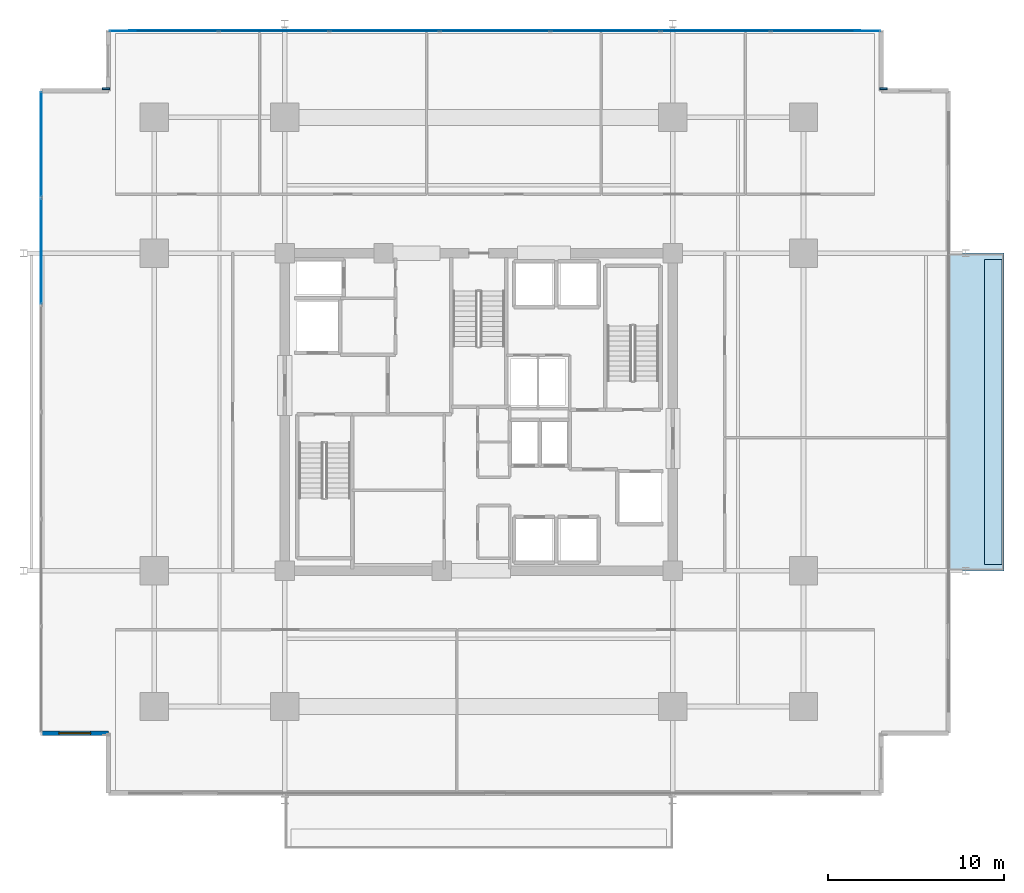
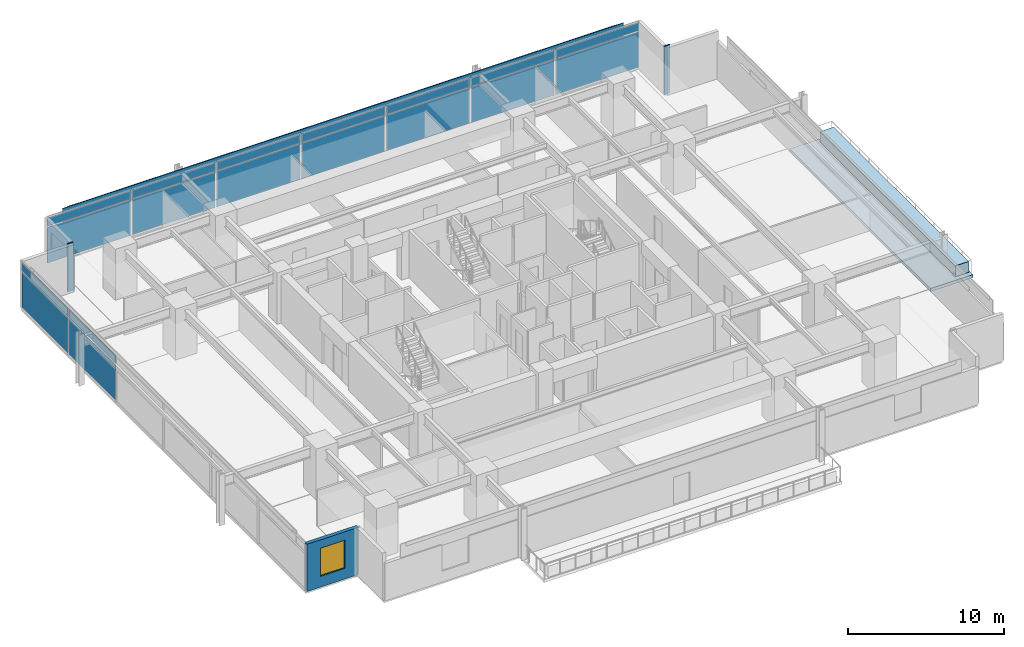
# One storey, part 13 of 22: 22 plates, 2 slabs, 1 wall, 1 window, 1 opening, 2 elements without a shape of their own.
"""IFC4 building model written with IfcOpenShell, lengths in metres."""

from ifc_helpers import new_model, si_unit, direction, frame, frame_2d, origin, origin_2d, place, context, subcontext, project, spatial, polyline, rectangle, outline, extrude, material, layer, layer_set, type_object, element, fill, aggregate, save


model = new_model("IFC4")

# Units and contexts
model_context = context("Model", 3, precision=1e-05, world=origin(), true_north=direction((0.0, 1.0)))
body_context = subcontext(model_context, "Body", "Model", "MODEL_VIEW")
ifc_project = project(units=[si_unit("LENGTHUNIT", "METRE"), si_unit("AREAUNIT", "SQUARE_METRE"), si_unit("VOLUMEUNIT", "CUBIC_METRE"), si_unit("PLANEANGLEUNIT", "RADIAN"), si_unit("MASSUNIT", "GRAM", prefix="KILO")], contexts=[model_context])

# Site, building, storey
site_placement = place(None, origin())
site = spatial("IfcSite", under=ifc_project, at=site_placement, CompositionType="ELEMENT")
building_placement = place(site_placement, origin())
building = spatial("IfcBuilding", under=site, at=building_placement, Name="Kovane Verandah Tower", CompositionType="ELEMENT")
storey_placement = place(building_placement, frame((0.0, 0.0, 180.39990234375)))
storey = spatial("IfcBuildingStorey", under=building, at=storey_placement, Name="L42", CompositionType="ELEMENT", Elevation=180.39990234375)

# Curtain wall, plates
ifc_material_1 = material(Name="Champagne Anodised Aluminium Frame with Low-E Clear Laminated Glass", Category="aluminium")
curtain_wall_type = type_object("IfcCurtainWallType", Name="CW-SYS-03-MID", PredefinedType="NOTDEFINED", material=ifc_material_1)
curtain_wall_1_placement = place(storey_placement, origin())
curtain_wall_1 = element("IfcCurtainWall", 1, at=curtain_wall_1_placement, inside=storey, type_object=curtain_wall_type, Name="L42 N Unitised Curtain Wall", PredefinedType="NOTDEFINED")
ifc_material_2 = material(Name="Pale Champagne Anodised Aluminium Insulated Spandrel", Category="aluminium")
ifc_layer_1 = layer(ifc_material_2, 0.0400390625)
ifc_layer_set_1 = layer_set([ifc_layer_1], Name="Pale Champagne Anodised Aluminium Insulated Spandrel")
plate_type_1 = type_object("IfcPlateType", Name="PL-CW-SPD-40", PredefinedType="SHEET", material=ifc_layer_set_1)
plate_1_placement = place(storey_placement, frame((59.68994140625, 49.10009765625, 2.97021484375), z_axis=(0.0, 0.0, 1.0), x_axis=(-1.0, 0.0, 0.0)))
plate_1 = element("IfcPlate", 2, at=plate_1_placement, type_object=plate_type_1, Name="L42 N Unitised Curtain Wall Spandrel Panel 1", PredefinedType="SHEET", context=body_context, shape_type="SweptSolid", body=[
    extrude(rectangle(XDim=6.1201171875, YDim=0.0400390625, at=origin_2d()), origin(), (0.0, 0.0, 1.0), 0.639892578125),
])
plate_2_placement = place(storey_placement, frame((53.429931640625, 49.10009765625, 2.97021484375), z_axis=(0.0, 0.0, 1.0), x_axis=(-1.0, 0.0, 0.0)))
plate_2 = element("IfcPlate", 3, at=plate_2_placement, type_object=plate_type_1, Name="L42 N Unitised Curtain Wall Spandrel Panel 2", PredefinedType="SHEET", context=body_context, shape_type="SweptSolid", body=[
    extrude(rectangle(XDim=6.1201171875, YDim=0.0400390625, at=origin_2d()), origin(), (0.0, 0.0, 1.0), 0.639892578125),
])
plate_3_placement = place(storey_placement, frame((47.169921875, 49.10009765625, 2.97021484375), z_axis=(0.0, 0.0, 1.0), x_axis=(-1.0, 0.0, 0.0)))
plate_3 = element("IfcPlate", 4, at=plate_3_placement, type_object=plate_type_1, Name="L42 N Unitised Curtain Wall Spandrel Panel 3", PredefinedType="SHEET", context=body_context, shape_type="SweptSolid", body=[
    extrude(rectangle(XDim=6.1201171875, YDim=0.0400390625, at=origin_2d()), origin(), (0.0, 0.0, 1.0), 0.639892578125),
])
plate_4_placement = place(storey_placement, frame((40.909912109375, 49.10009765625, 2.97021484375), z_axis=(0.0, 0.0, 1.0), x_axis=(-1.0, 0.0, 0.0)))
plate_4 = element("IfcPlate", 5, at=plate_4_placement, type_object=plate_type_1, Name="L42 N Unitised Curtain Wall Spandrel Panel 4", PredefinedType="SHEET", context=body_context, shape_type="SweptSolid", body=[
    extrude(rectangle(XDim=6.1201171875, YDim=0.0400390625, at=origin_2d()), origin(), (0.0, 0.0, 1.0), 0.639892578125),
])
plate_5_placement = place(storey_placement, frame((34.64990234375, 49.10009765625, 2.97021484375), z_axis=(0.0, 0.0, 1.0), x_axis=(-1.0, 0.0, 0.0)))
plate_5 = element("IfcPlate", 6, at=plate_5_placement, type_object=plate_type_1, Name="L42 N Unitised Curtain Wall Spandrel Panel 5", PredefinedType="SHEET", context=body_context, shape_type="SweptSolid", body=[
    extrude(rectangle(XDim=6.1201171875, YDim=0.0400390625, at=origin_2d()), origin(), (0.0, 0.0, 1.0), 0.639892578125),
])
plate_6_placement = place(storey_placement, frame((28.389892578125, 49.10009765625, 2.97021484375), z_axis=(0.0, 0.0, 1.0), x_axis=(-1.0, 0.0, 0.0)))
plate_6 = element("IfcPlate", 7, at=plate_6_placement, type_object=plate_type_1, Name="L42 N Unitised Curtain Wall Spandrel Panel 6", PredefinedType="SHEET", context=body_context, shape_type="SweptSolid", body=[
    extrude(rectangle(XDim=6.1201171875, YDim=0.0400390625, at=origin_2d()), origin(), (0.0, 0.0, 1.0), 0.639892578125),
])
plate_7_placement = place(storey_placement, frame((22.1298828125, 49.10009765625, 2.97021484375), z_axis=(0.0, 0.0, 1.0), x_axis=(-1.0, 0.0, 0.0)))
plate_7 = element("IfcPlate", 8, at=plate_7_placement, type_object=plate_type_1, Name="L42 N Unitised Curtain Wall Spandrel Panel 7", PredefinedType="SHEET", context=body_context, shape_type="SweptSolid", body=[
    extrude(rectangle(XDim=6.1201171875, YDim=0.0400390625, at=origin_2d()), origin(), (0.0, 0.0, 1.0), 0.639892578125),
])

curtain_wall_2_placement = place(storey_placement, origin())
curtain_wall_2 = element("IfcCurtainWall", 9, at=curtain_wall_2_placement, inside=storey, type_object=curtain_wall_type, Name="L42 W Unitised Curtain Wall", PredefinedType="NOTDEFINED")
plate_8_placement = place(storey_placement, frame((15.199951171875, 42.666748046875, 2.97021484375), z_axis=(0.0, 0.0, 1.0), x_axis=(0.0, -1.0, 0.0)))
plate_8 = element("IfcPlate", 10, at=plate_8_placement, type_object=plate_type_1, Name="L42 W Unitised Curtain Wall Spandrel Panel 1", PredefinedType="SHEET", context=body_context, shape_type="SweptSolid", body=[
    extrude(rectangle(XDim=5.9267578125, YDim=0.0400390625, at=origin_2d()), origin(), (0.0, 0.0, 1.0), 0.639892578125),
])
plate_9_placement = place(storey_placement, frame((15.199951171875, 36.60009765625, 2.97021484375), z_axis=(0.0, 0.0, 1.0), x_axis=(0.0, -1.0, 0.0)))
plate_9 = element("IfcPlate", 11, at=plate_9_placement, type_object=plate_type_1, Name="L42 W Unitised Curtain Wall Spandrel Panel 2", PredefinedType="SHEET", context=body_context, shape_type="SweptSolid", body=[
    extrude(rectangle(XDim=5.9267578125, YDim=0.0400390625, at=origin_2d()), origin(), (0.0, 0.0, 1.0), 0.639892578125),
])

# Plate
ifc_material_3 = material(Name="Clear Low-E Laminated Double Glazing", Category="glass")
ifc_layer_2 = layer(ifc_material_3, 0.031982421875)
ifc_layer_set_2 = layer_set([ifc_layer_2], Name="Clear Low-E Laminated Double Glazing")
plate_type_2 = type_object("IfcPlateType", Name="PL-CW-VIS-32", PredefinedType="CURTAIN_PANEL", material=ifc_layer_set_2)
plate_10_placement = place(storey_placement, frame((59.68994140625, 49.10009765625, 0.10009765625), z_axis=(0.0, 0.0, 1.0), x_axis=(-1.0, 0.0, 0.0)))
plate_10 = element("IfcPlate", 12, at=plate_10_placement, type_object=plate_type_2, Name="L42 N Unitised Curtain Wall Vision Panel 1", PredefinedType="CURTAIN_PANEL", context=body_context, shape_type="SweptSolid", body=[
    extrude(rectangle(XDim=6.1201171875, YDim=0.031982421875, at=origin_2d()), origin(), (0.0, 0.0, 1.0), 2.77001953125),
])

plate_11_placement = place(storey_placement, frame((53.429931640625, 49.10009765625, 0.10009765625), z_axis=(0.0, 0.0, 1.0), x_axis=(-1.0, 0.0, 0.0)))
plate_11 = element("IfcPlate", 13, at=plate_11_placement, type_object=plate_type_2, Name="L42 N Unitised Curtain Wall Vision Panel 2", PredefinedType="CURTAIN_PANEL", context=body_context, shape_type="SweptSolid", body=[
    extrude(rectangle(XDim=6.1201171875, YDim=0.031982421875, at=origin_2d()), origin(), (0.0, 0.0, 1.0), 2.77001953125),
])

plate_12_placement = place(storey_placement, frame((47.169921875, 49.10009765625, 0.10009765625), z_axis=(0.0, 0.0, 1.0), x_axis=(-1.0, 0.0, 0.0)))
plate_12 = element("IfcPlate", 14, at=plate_12_placement, type_object=plate_type_2, Name="L42 N Unitised Curtain Wall Vision Panel 3", PredefinedType="CURTAIN_PANEL", context=body_context, shape_type="SweptSolid", body=[
    extrude(rectangle(XDim=6.1201171875, YDim=0.031982421875, at=origin_2d()), origin(), (0.0, 0.0, 1.0), 2.77001953125),
])

plate_13_placement = place(storey_placement, frame((40.909912109375, 49.10009765625, 0.10009765625), z_axis=(0.0, 0.0, 1.0), x_axis=(-1.0, 0.0, 0.0)))
plate_13 = element("IfcPlate", 15, at=plate_13_placement, type_object=plate_type_2, Name="L42 N Unitised Curtain Wall Vision Panel 4", PredefinedType="CURTAIN_PANEL", context=body_context, shape_type="SweptSolid", body=[
    extrude(rectangle(XDim=6.1201171875, YDim=0.031982421875, at=origin_2d()), origin(), (0.0, 0.0, 1.0), 2.77001953125),
])

plate_14_placement = place(storey_placement, frame((34.64990234375, 49.10009765625, 0.10009765625), z_axis=(0.0, 0.0, 1.0), x_axis=(-1.0, 0.0, 0.0)))
plate_14 = element("IfcPlate", 16, at=plate_14_placement, type_object=plate_type_2, Name="L42 N Unitised Curtain Wall Vision Panel 5", PredefinedType="CURTAIN_PANEL", context=body_context, shape_type="SweptSolid", body=[
    extrude(rectangle(XDim=6.1201171875, YDim=0.031982421875, at=origin_2d()), origin(), (0.0, 0.0, 1.0), 2.77001953125),
])

plate_15_placement = place(storey_placement, frame((28.389892578125, 49.10009765625, 0.10009765625), z_axis=(0.0, 0.0, 1.0), x_axis=(-1.0, 0.0, 0.0)))
plate_15 = element("IfcPlate", 17, at=plate_15_placement, type_object=plate_type_2, Name="L42 N Unitised Curtain Wall Vision Panel 6", PredefinedType="CURTAIN_PANEL", context=body_context, shape_type="SweptSolid", body=[
    extrude(rectangle(XDim=6.1201171875, YDim=0.031982421875, at=origin_2d()), origin(), (0.0, 0.0, 1.0), 2.77001953125),
])

plate_16_placement = place(storey_placement, frame((22.1298828125, 49.10009765625, 0.10009765625), z_axis=(0.0, 0.0, 1.0), x_axis=(-1.0, 0.0, 0.0)))
plate_16 = element("IfcPlate", 18, at=plate_16_placement, type_object=plate_type_2, Name="L42 N Unitised Curtain Wall Vision Panel 7", PredefinedType="CURTAIN_PANEL", context=body_context, shape_type="SweptSolid", body=[
    extrude(rectangle(XDim=6.1201171875, YDim=0.031982421875, at=origin_2d()), origin(), (0.0, 0.0, 1.0), 2.77001953125),
])

aggregate(curtain_wall_1, [plate_10, plate_1, plate_11, plate_2, plate_12, plate_3, plate_13, plate_4, plate_14, plate_5, plate_15, plate_6, plate_16, plate_7])

plate_17_placement = place(storey_placement, frame((15.199951171875, 42.666748046875, 0.10009765625), z_axis=(0.0, 0.0, 1.0), x_axis=(0.0, -1.0, 0.0)))
plate_17 = element("IfcPlate", 19, at=plate_17_placement, type_object=plate_type_2, Name="L42 W Unitised Curtain Wall Vision Panel 1", PredefinedType="CURTAIN_PANEL", context=body_context, shape_type="SweptSolid", body=[
    extrude(rectangle(XDim=5.9267578125, YDim=0.031982421875, at=origin_2d()), origin(), (0.0, 0.0, 1.0), 2.77001953125),
])

plate_18_placement = place(storey_placement, frame((15.199951171875, 36.60009765625, 0.10009765625), z_axis=(0.0, 0.0, 1.0), x_axis=(0.0, -1.0, 0.0)))
plate_18 = element("IfcPlate", 20, at=plate_18_placement, type_object=plate_type_2, Name="L42 W Unitised Curtain Wall Vision Panel 2", PredefinedType="CURTAIN_PANEL", context=body_context, shape_type="SweptSolid", body=[
    extrude(rectangle(XDim=5.9267578125, YDim=0.031982421875, at=origin_2d()), origin(), (0.0, 0.0, 1.0), 2.77001953125),
])

aggregate(curtain_wall_2, [plate_17, plate_8, plate_18, plate_9])

# Plates
ifc_material_4 = material(Name="Timber-Toned Subtropical Aluminium Vertical Blade", Category="wood")
ifc_layer_3 = layer(ifc_material_4, 0.090087890625)
ifc_layer_set_3 = layer_set([ifc_layer_3], Name="Timber-Toned Subtropical Aluminium Vertical Blade")
plate_type_3 = type_object("IfcPlateType", Name="PL-FIN-90", PredefinedType="USERDEFINED", material=ifc_layer_set_3)
for number, where, z_axis, x_axis, name in (
    (21, (62.93994140625, 45.820068359375, -0.02001953125), (0.0, 0.0, 1.0), (1.0, 0.0, 0.0), "L42 NE Timber-Toned Vertical Corner Fin"),
    (22, (18.8798828125, 45.820068359375, -0.02001953125), (0.0, 0.0, 1.0), (1.0, 0.0, 0.0), "L42 NW Timber-Toned Vertical Corner Fin"),
):
    element("IfcPlate", number, at=place(storey_placement, frame(where, z_axis=z_axis, x_axis=x_axis)), inside=storey, type_object=plate_type_3, Name=name, ObjectType="FIN", PredefinedType="USERDEFINED", context=body_context, shape_type="SweptSolid", body=[
        extrude(rectangle(XDim=0.419921875, YDim=0.090087890625, at=origin_2d()), origin(), (0.0, 0.0, 1.0), 3.760009765625),
    ])
ifc_material_5 = material(Name="Perforated Pale Champagne Anodised Aluminium Solar Screen", Category="aluminium")
ifc_layer_4 = layer(ifc_material_5, 0.050048828125)
ifc_layer_set_4 = layer_set([ifc_layer_4], Name="Perforated Pale Champagne Anodised Aluminium Solar Screen")
plate_type_4 = type_object("IfcPlateType", Name="PL-SCREEN-50", PredefinedType="USERDEFINED", material=ifc_layer_set_4)
plate_19_placement = place(storey_placement, frame((40.909912109375, 49.114990234375, 2.800048828125), z_axis=(0.0, 0.0, 1.0), x_axis=(-1.0, 0.0, 0.0)))
element("IfcPlate", 23, at=plate_19_placement, inside=storey, type_object=plate_type_4, Name="L42 N Perforated Champagne-Gold Solar Screen", ObjectType="SCREEN", PredefinedType="USERDEFINED", context=body_context, shape_type="SweptSolid", body=[
    extrude(rectangle(XDim=41.419921875, YDim=0.050048828125, at=origin_2d()), origin(), (0.0, 0.0, 1.0), 1.14990234375),
])
ifc_material_6 = material(Name="Extruded Pale-Bronze Aluminium Aerofoil Sunshade", Category="aluminium")
ifc_layer_5 = layer(ifc_material_6, 0.06005859375)
ifc_layer_set_5 = layer_set([ifc_layer_5], Name="Extruded Pale-Bronze Aluminium Aerofoil Sunshade")
plate_type_5 = type_object("IfcPlateType", Name="PL-SUNSHADE-60", PredefinedType="USERDEFINED", material=ifc_layer_set_5)
plate_20_placement = place(storey_placement, frame((40.909912109375, 49.1201171875, 3.68017578125), z_axis=(0.0, 0.0, 1.0), x_axis=(-1.0, 0.0, 0.0)))
element("IfcPlate", 24, at=plate_20_placement, inside=storey, type_object=plate_type_5, Name="L42 N Subtropical Aerofoil Sunshade", ObjectType="SUNSHADE", PredefinedType="USERDEFINED", context=body_context, shape_type="SweptSolid", body=[
    extrude(rectangle(XDim=40.6201171875, YDim=0.06005859375, at=origin_2d()), origin(), (0.0, 0.0, 1.0), 0.280029296875),
])

# Slabs
ifc_material_7 = material(Name="Concrete C45/55", Category="concrete")
ifc_layer_6 = layer(ifc_material_7, 0.239990234375)
ifc_layer_set_6 = layer_set([ifc_layer_6], Name="Concrete C45/55")
slab_type_1 = type_object("IfcSlabType", Name="SL-BALC-240", PredefinedType="FLOOR", material=ifc_layer_set_6)
slab_1_placement = place(storey_placement, frame((0.0, 0.0, -0.239990234375)))
element("IfcSlab", 25, at=slab_1_placement, inside=storey, type_object=slab_type_1, Name="L42 E Planted Verandah Balcony Slab", PredefinedType="FLOOR", context=body_context, shape_type="SweptSolid", body=[
    extrude(outline(polyline([(66.6201171875, 18.5), (69.77001953125, 18.5), (69.77001953125, 36.5), (66.6201171875, 36.5), (66.6201171875, 18.5)])), origin(), (0.0, 0.0, 1.0), 0.239990234375),
])
ifc_material_8 = material(Name="Architectural Precast Concrete C45/55 Planter Trough", Category="concrete")
ifc_layer_7 = layer(ifc_material_8, 0.219970703125)
ifc_layer_set_7 = layer_set([ifc_layer_7], Name="Architectural Precast Concrete C45/55 Planter Trough")
slab_type_2 = type_object("IfcSlabType", Name="SL-PLANTER-220", PredefinedType="USERDEFINED", material=ifc_layer_set_7)
slab_2_placement = place(storey_placement, origin())
element("IfcSlab", 26, at=slab_2_placement, inside=storey, type_object=slab_type_2, Name="L42 E Structural Tree Planter", ObjectType="PLANTER", PredefinedType="USERDEFINED", context=body_context, shape_type="SweptSolid", body=[
    extrude(outline(polyline([(68.669921875, 18.85009765625), (69.669921875, 18.85009765625), (69.669921875, 36.14990234375), (68.669921875, 36.14990234375), (68.669921875, 18.85009765625)])), origin(), (0.0, 0.0, 1.0), 0.85009765625),
])

# Wall, opening, window
ifc_material_9 = material(Name="Concrete C45/55 Insulated Spandrel Wall", Category="concrete")
ifc_layer_8 = layer(ifc_material_9, 0.260009765625)
ifc_layer_set_8 = layer_set([ifc_layer_8], Name="Concrete C45/55 Insulated Spandrel Wall")
wall_type = type_object("IfcWallType", Name="WL-SPANDREL-260", PredefinedType="PARAPET", material=ifc_layer_set_8)
wall_placement = place(storey_placement, frame((15.199951171875, 9.300048828125, 0.0), z_axis=(0.0, 0.0, 1.0), x_axis=(1.0, 0.0, 0.0)))
wall = element("IfcWall", 27, at=wall_placement, inside=storey, type_object=wall_type, Name="L42 SW Notch Cheek Wall 1", PredefinedType="PARAPET", context=body_context, shape_type="SweptSolid", body=[
    extrude(rectangle(XDim=3.800048828125, YDim=0.260009765625, at=frame_2d((1.89990234375, 0.0))), origin(), (0.0, 0.0, 1.0), 3.7001953125),
])
opening_placement = place(wall_placement, frame((1.0, 0.0, 0.85009765625)))
opening = element("IfcOpeningElement", 28, at=opening_placement, cuts=wall, Name="Opening W-03", PredefinedType="OPENING", context=body_context, shape_type="SweptSolid", body=[
    extrude(rectangle(XDim=1.800048828125, YDim=2.199951171875, at=frame_2d((0.89990234375, 1.10009765625))), frame((0.0, 0.1298828125, 0.0), z_axis=(0.0, -1.0, 0.0), x_axis=(1.0, 0.0, 0.0)), (0.0, 0.0, 1.0), 0.260009765625),
])
ifc_material_10 = material(Name="Clear Low-E Laminated Double Glazing in Anodised Frame", Category="glass")
window_type = type_object("IfcWindowType", Name="WN-NOTCH-1800x2200", PartitioningType="SINGLE_PANEL", PredefinedType="WINDOW", material=ifc_material_10)
window_placement = place(opening_placement, origin())
window = element("IfcWindow", 29, at=window_placement, inside=storey, type_object=window_type, Name="L42 SW Re-Entrant Corner Operable Window", OverallHeight=2.199951171875, OverallWidth=1.800048828125, PartitioningType="SINGLE_PANEL", PredefinedType="WINDOW", context=body_context, shape_type="SweptSolid", body=[
    extrude(rectangle(XDim=1.800048828125, YDim=2.199951171875, at=frame_2d((0.89990234375, 1.10009765625))), frame((0.0, 0.030029296875, 0.0), z_axis=(0.0, -1.0, 0.0), x_axis=(1.0, 0.0, 0.0)), (0.0, 0.0, 1.0), 0.06005859375),
])
fill(opening, window)

save(model, "model.ifc")
